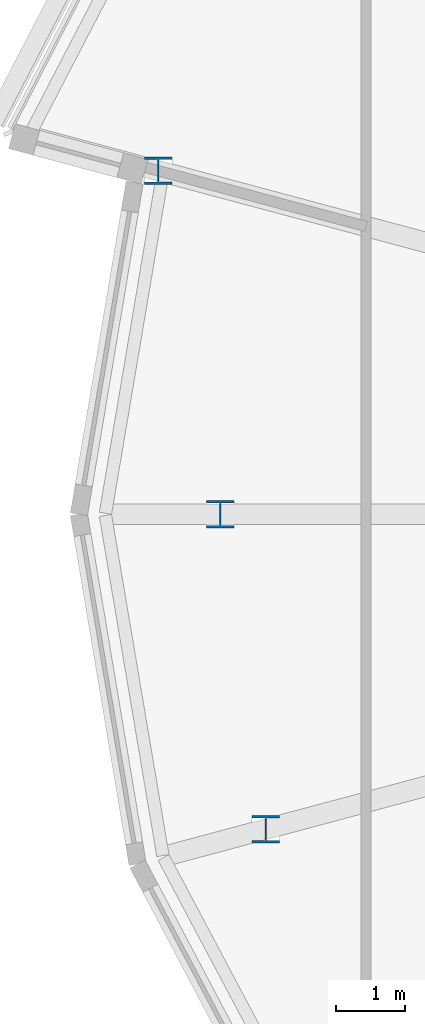
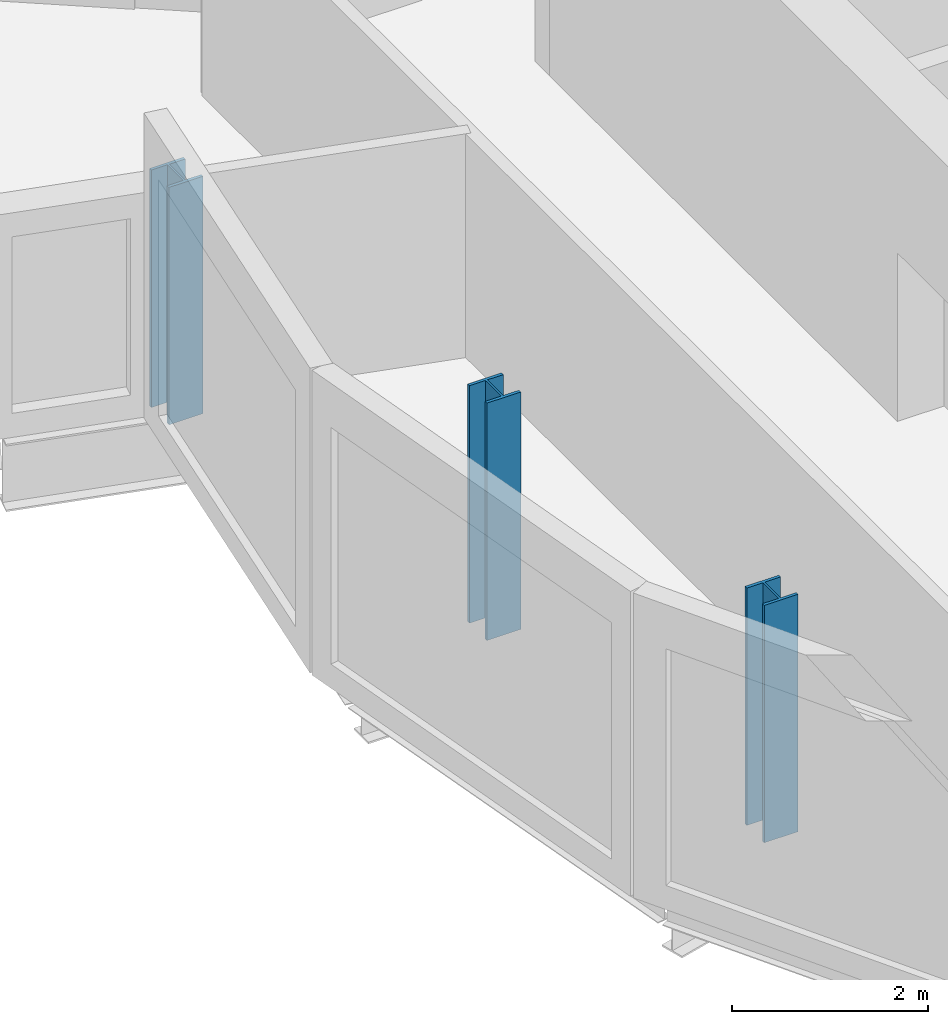
# One storey, part 1 of 36: 3 columns.
"""IFC4 building model written with IfcOpenShell, lengths in metres."""

from ifc_helpers import new_model, si_unit, direction, frame, origin, origin_2d, place, context, subcontext, project, spatial, i_section, extrude, material, material_profile, profile_set, type_object, element, save


model = new_model("IFC4")

# Units and contexts
model_context = context("Model", 3, precision=1e-05, world=origin(), true_north=direction((0.0, 1.0)))
body_context = subcontext(model_context, "Body", "Model", "MODEL_VIEW")
ifc_project = project(units=[si_unit("LENGTHUNIT", "METRE"), si_unit("AREAUNIT", "SQUARE_METRE"), si_unit("VOLUMEUNIT", "CUBIC_METRE"), si_unit("PLANEANGLEUNIT", "RADIAN"), si_unit("MASSUNIT", "GRAM", prefix="KILO")], contexts=[model_context])

# Site, building, storey
site_placement = place(None, origin())
site = spatial("IfcSite", under=ifc_project, at=site_placement, CompositionType="ELEMENT")
building_placement = place(site_placement, origin())
building = spatial("IfcBuilding", under=site, at=building_placement, Name="Rimbun Link Towers", CompositionType="ELEMENT")
storey_placement = place(building_placement, frame((0.0, 0.0, 193.10009765625)))
storey = spatial("IfcBuildingStorey", under=building, at=storey_placement, Name="L47", CompositionType="ELEMENT", Elevation=193.10009765625)

# Columns
ifc_material = material(Name="Steel S355J2", Category="steel")
ifc_material_profile = material_profile(ifc_material, i_section(OverallWidth=0.39892578125, OverallDepth=0.3935546875, WebThickness=0.022705078125, FlangeThickness=0.03662109375, at=origin_2d()), Name="UC 356x406x287")
ifc_profile_set = profile_set([ifc_material_profile], Name="Steel S355J2")
column_type = type_object("IfcColumnType", Name="UC 356x406x287", PredefinedType="COLUMN", material=ifc_profile_set)
for number, where, z_axis, x_axis, name in (
    (1, (-50.215087890625, 4.94775390625, -0.150146484375), (0.0, 0.0, 1.0), (1.0, 0.0, 0.0), "Crease post T1 L47 11"),
    (2, (-49.322265625, 0.0, -0.150146484375), (0.0, 0.0, 1.0), (1.0, 0.0, 0.0), "Crease post T1 L47 12"),
    (3, (-48.670654296875, -4.533935546875, -0.150146484375), (0.0, 0.0, 1.0), (1.0, 0.0, 0.0), "Crease post T1 L47 13"),
):
    element("IfcColumn", number, at=place(storey_placement, frame(where, z_axis=z_axis, x_axis=x_axis)), inside=storey, type_object=column_type, Name=name, PredefinedType="COLUMN", context=body_context, shape_type="SweptSolid", body=[
        extrude(i_section(OverallWidth=0.39892578125, OverallDepth=0.3935546875, WebThickness=0.022705078125, FlangeThickness=0.03662109375, at=origin_2d()), origin(), (0.0, 0.0, 1.0), 2.959228515625),
    ])

save(model, "model.ifc")
